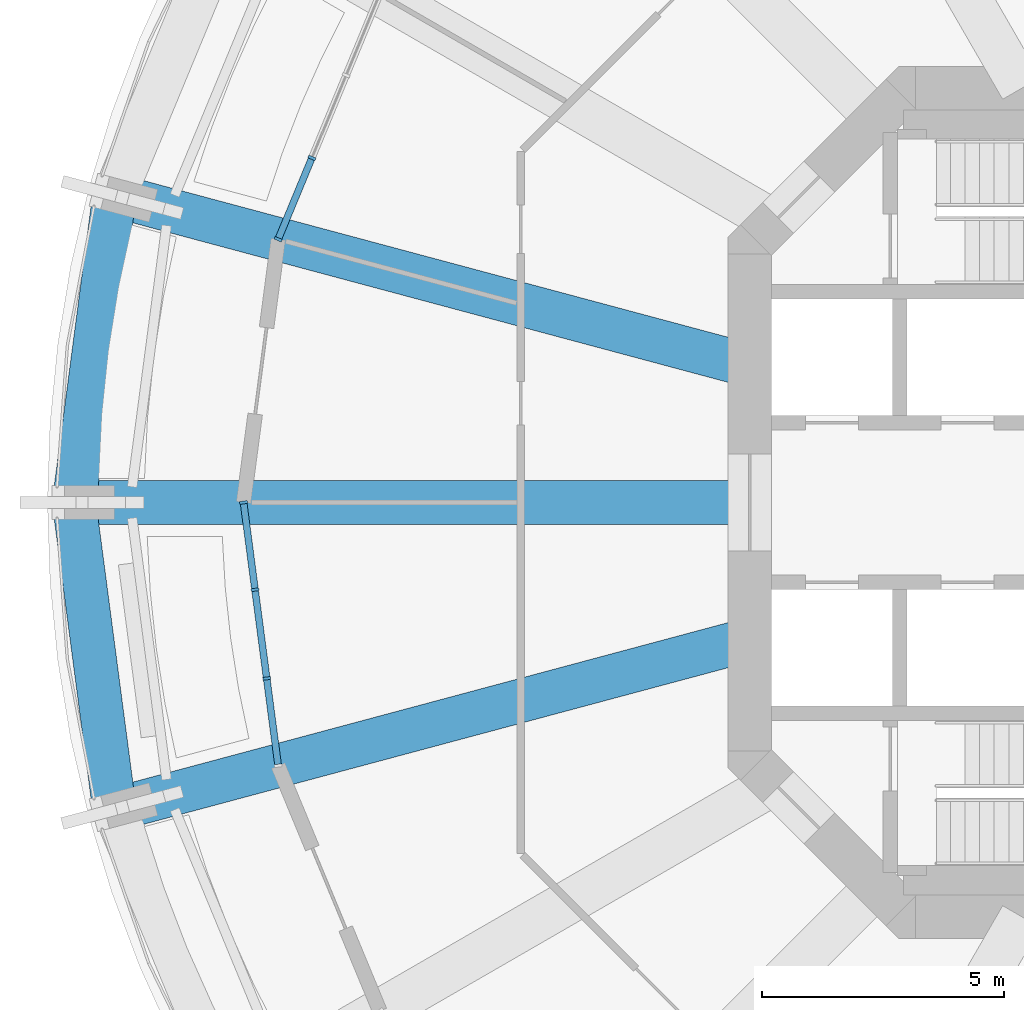
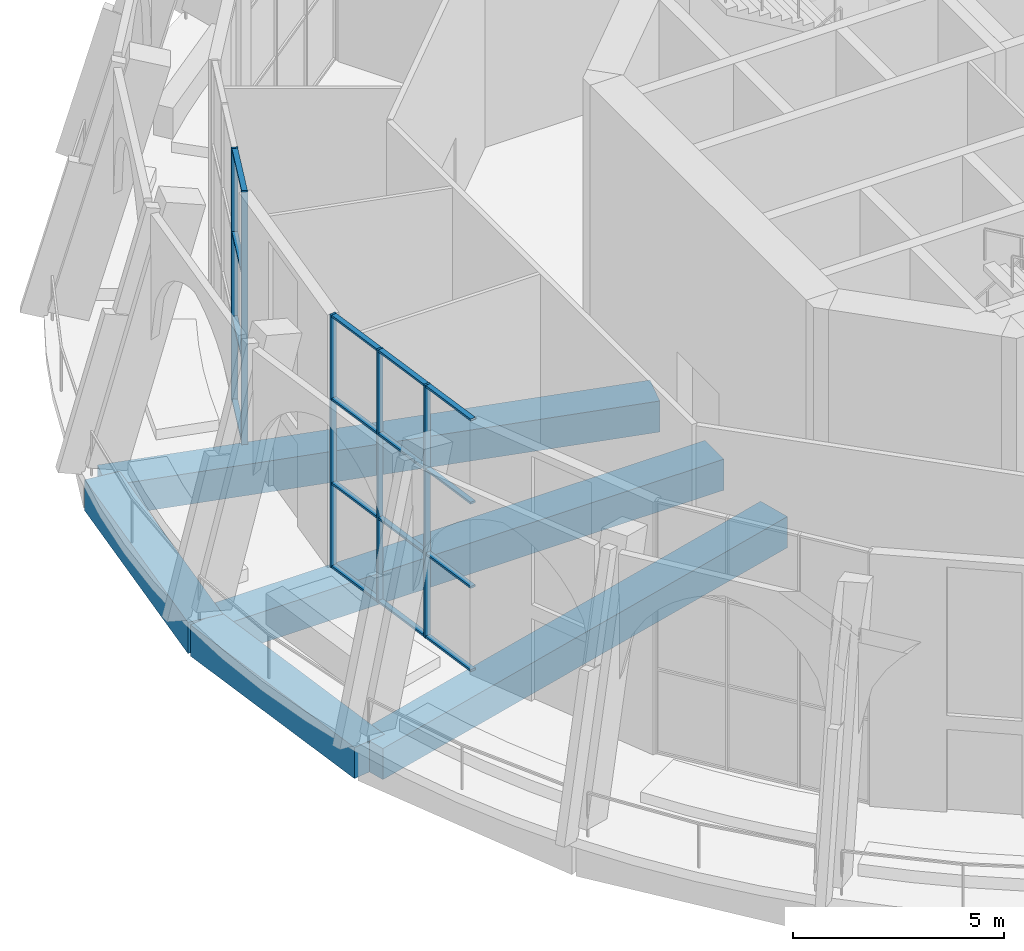
# One storey, part 4 of 18: 21 members, 5 beams, 2 elements without a shape of their own.
"""IFC4 building model written with IfcOpenShell, lengths in metres."""

import ifcopenshell
import ifcopenshell.guid

model = None  # the IFC model being written
_history = None  # IfcOwnerHistory: only IFC2X3 demands one
_inside = {}  # id of a spatial element -> (the spatial element, [elements in it])
_under = {}  # id of a project, library or spatial element -> (it, [spatial elements below it])
_declared = {}  # id of a project -> (the project, [libraries it declares])
_typed = {}  # id of a type object -> (the type object, [elements of that type])
_made_of = {}  # id of a material, layer set ... -> (it, [elements and type objects made of it])


def new_model(schema):
    """Start an empty IFC model of exactly this schema.

    Asked for "IFC4X3", IfcOpenShell would pick the latest addendum, in which some entities
    have other attributes; the version numbers below select the first issue.
    IFC2X3 requires an IfcOwnerHistory on every rooted entity: one is made here for all.
    """
    global model, _history
    if schema == "IFC4X3":
        model = ifcopenshell.file(schema_version=(4, 3, 0, 0))
    else:
        model = ifcopenshell.file(schema=schema)
    _inside.clear()
    _under.clear()
    _declared.clear()
    _typed.clear()
    _made_of.clear()
    _history = None
    if model.schema == "IFC2X3":
        org = make("IfcOrganization", Name="unknown")
        user = make(
            "IfcPersonAndOrganization",
            ThePerson=make("IfcPerson", FamilyName="unknown"),
            TheOrganization=org,
        )
        app = make(
            "IfcApplication",
            ApplicationDeveloper=org,
            Version="unknown",
            ApplicationFullName="unknown",
            ApplicationIdentifier="unknown",
        )
        _history = make(
            "IfcOwnerHistory",
            OwningUser=user,
            OwningApplication=app,
            ChangeAction="ADDED",
            CreationDate=0,
        )
    return model


def make(cls, **values):
    """One entity of the class cls with the attributes given. An attribute that is None is left unset."""
    return model.create_entity(
        cls, **{name: value for name, value in values.items() if value is not None}
    )


def rooted(cls, **values):
    """An entity with a GlobalId (a new one), such as an element, a storey or a relation."""
    return make(cls, GlobalId=ifcopenshell.guid.new(), OwnerHistory=_history, **values)


def si_unit(unit_type, name, prefix=None):
    """IfcSIUnit, for example si_unit("LENGTHUNIT", "METRE", prefix="MILLI")."""
    return make("IfcSIUnit", UnitType=unit_type, Prefix=prefix, Name=name)


def assignment(units):
    """IfcUnitAssignment: the units of a project."""
    return None if units is None else make("IfcUnitAssignment", Units=units)


def point(xyz):
    """IfcCartesianPoint."""
    return None if xyz is None else make("IfcCartesianPoint", Coordinates=xyz)


def direction(xyz):
    """IfcDirection."""
    return None if xyz is None else make("IfcDirection", DirectionRatios=xyz)


def frame(location, z_axis=None, x_axis=None):
    """IfcAxis2Placement3D, a coordinate frame: its origin and axes. An axis left out is left unset."""
    return make(
        "IfcAxis2Placement3D",
        Location=point(location),
        Axis=direction(z_axis),
        RefDirection=direction(x_axis),
    )


def frame_2d(location, x_axis=None):
    """IfcAxis2Placement2D, a coordinate frame in the plane: its origin and x axis."""
    return make(
        "IfcAxis2Placement2D", Location=point(location), RefDirection=direction(x_axis)
    )


def origin():
    """The frame at (0, 0, 0) with its axes left unset."""
    return frame((0.0, 0.0, 0.0))


def origin_2d():
    """The frame at (0, 0) in the plane with its x axis left unset."""
    return frame_2d((0.0, 0.0))


def place(relative_to, where):
    """IfcLocalPlacement: puts the frame where relative to a parent placement (None: the world)."""
    return make(
        "IfcLocalPlacement", PlacementRelTo=relative_to, RelativePlacement=where
    )


def context(
    kind, dimensions, precision=None, world=None, true_north=None, identifier=None
):
    """IfcGeometricRepresentationContext, for example the 3D "Model" context."""
    return make(
        "IfcGeometricRepresentationContext",
        ContextIdentifier=identifier,
        ContextType=kind,
        CoordinateSpaceDimension=dimensions,
        Precision=precision,
        WorldCoordinateSystem=world,
        TrueNorth=true_north,
    )


def subcontext(parent, identifier, kind, view, scale=None):
    """IfcGeometricRepresentationSubContext, for example "Body" below "Model"."""
    return make(
        "IfcGeometricRepresentationSubContext",
        ContextIdentifier=identifier,
        ContextType=kind,
        ParentContext=parent,
        TargetScale=scale,
        TargetView=view,
    )


def project(units=None, contexts=None):
    """IfcProject with its units and contexts."""
    return rooted(
        "IfcProject",
        Name="project",
        RepresentationContexts=contexts,
        UnitsInContext=assignment(units),
    )


def spatial(cls, under=None, at=None, **own):
    """A site, building, storey or space (cls), placed at a placement, below another one or the project."""
    s = rooted(cls, ObjectPlacement=at, **own)
    if under is not None:
        _under.setdefault(under.id(), (under, []))[1].append(s)
    return s


def profile(cls, at=None, kind="AREA", **sizes):
    """A parametric profile (cls). Its sizes go by their IFC names, for example OverallWidth=200.0."""
    return make(cls, ProfileType=kind, Position=at, **sizes)


def rectangle(**sizes):
    """IfcRectangleProfileDef."""
    return profile("IfcRectangleProfileDef", **sizes)


def extrude(swept, where, along, depth):
    """IfcExtrudedAreaSolid: the profile swept, set in the frame where, extruded along a direction by depth."""
    return make(
        "IfcExtrudedAreaSolid",
        SweptArea=swept,
        Position=where,
        ExtrudedDirection=direction(along),
        Depth=depth,
    )


def shape(context_of_items, identifier, shape_type, items):
    """IfcShapeRepresentation: the items that make up one representation, for example the "Body"."""
    return make(
        "IfcShapeRepresentation",
        ContextOfItems=context_of_items,
        RepresentationIdentifier=identifier,
        RepresentationType=shape_type,
        Items=items,
    )


def material(Name=None, Category=None):
    """IfcMaterial."""
    return make("IfcMaterial", Name=Name, Category=Category)


def material_profile(
    of_material, cross_section, Name=None, Category=None, Priority=None
):
    """IfcMaterialProfile: a cross section and its material."""
    return make(
        "IfcMaterialProfile",
        Name=Name,
        Material=of_material,
        Profile=cross_section,
        Priority=Priority,
        Category=Category,
    )


def profile_set(profiles, Name=None, composite=None):
    """IfcMaterialProfileSet."""
    return make(
        "IfcMaterialProfileSet",
        Name=Name,
        MaterialProfiles=profiles,
        CompositeProfile=composite,
    )


def made_of(thing, what):
    """Note that an element or type object is made of a material, layer set ...; save() writes the relation."""
    if what is not None:
        _made_of.setdefault(what.id(), (what, []))[1].append(thing)
    return thing


def type_object(cls, material=None, **own):
    """A type object (cls), such as IfcWallType, which elements share."""
    return made_of(rooted(cls, **own), material)


def element(
    cls,
    number,
    at=None,
    inside=None,
    cuts=None,
    type_object=None,
    material=None,
    context=None,
    identifier="Body",
    shape_type=None,
    held_by="IfcProductDefinitionShape",
    body=None,
    shapes=None,
    **own,
):
    """One element of the class cls, such as IfcWall. Its Tag is "e" and its number.

    at: its placement. inside: the storey or other place that contains it. cuts: it is an
    opening in that element (IfcRelVoidsElement). A single representation is given by context,
    identifier, shape_type and body (its items); several are given by shapes. held_by: the class
    of the entity that holds the representations. save() writes the other relations.
    """
    e = rooted(cls, Tag="e%d" % number, ObjectPlacement=at, **own)
    if body is not None:
        shapes = [shape(context, identifier, shape_type, body)]
    if shapes is not None:
        e.Representation = make(held_by, Representations=shapes)
    if inside is not None:
        _inside.setdefault(inside.id(), (inside, []))[1].append(e)
    if cuts is not None:
        rooted(
            "IfcRelVoidsElement", RelatingBuildingElement=cuts, RelatedOpeningElement=e
        )
    if type_object is not None:
        _typed.setdefault(type_object.id(), (type_object, []))[1].append(e)
    return made_of(e, material)


def aggregate(whole, parts):
    """IfcRelAggregates: a whole, such as a stair, and the parts it consists of."""
    return rooted("IfcRelAggregates", RelatingObject=whole, RelatedObjects=parts)


def save(model, path):
    """Write the relations noted so far, then the file.

    IfcRelAggregates (storeys below a building ...), IfcRelContainedInSpatialStructure (elements
    in a storey), IfcRelDefinesByType, IfcRelAssociatesMaterial and IfcRelDeclares: one each for
    every whole, place, type object, material and project.
    """
    for whole, parts in _under.values():
        aggregate(whole, parts)
    for where, things in _inside.values():
        rooted(
            "IfcRelContainedInSpatialStructure",
            RelatedElements=things,
            RelatingStructure=where,
        )
    for kind, things in _typed.values():
        rooted("IfcRelDefinesByType", RelatedObjects=things, RelatingType=kind)
    for what, things in _made_of.values():
        rooted("IfcRelAssociatesMaterial", RelatedObjects=things, RelatingMaterial=what)
    for by, libraries in _declared.values():
        rooted("IfcRelDeclares", RelatingContext=by, RelatedDefinitions=libraries)
    model.write(path)


model = new_model("IFC4")

# Units and contexts
model_context = context("Model", 3, precision=1e-05, world=origin(), true_north=direction((0.0, 1.0)))
body_context = subcontext(model_context, "Body", "Model", "MODEL_VIEW")
ifc_project = project(units=[si_unit("LENGTHUNIT", "METRE"), si_unit("AREAUNIT", "SQUARE_METRE"), si_unit("VOLUMEUNIT", "CUBIC_METRE"), si_unit("PLANEANGLEUNIT", "RADIAN"), si_unit("MASSUNIT", "GRAM", prefix="KILO")], contexts=[model_context])

# Site, building, storey
site_placement = place(None, origin())
site = spatial("IfcSite", under=ifc_project, at=site_placement, CompositionType="ELEMENT")
building_placement = place(site_placement, origin())
building = spatial("IfcBuilding", under=site, at=building_placement, Name="Torre Triforio", CompositionType="ELEMENT")
storey_placement = place(building_placement, frame((0.0, 0.0, 146.60009765625)))
storey = spatial("IfcBuildingStorey", under=building, at=storey_placement, Name="L33", CompositionType="ELEMENT", Elevation=146.60009765625)

# Curtain wall, members
ifc_material_1 = material(Name="Aluminium mullion and transom frame with clear laminated glass", Category="aluminium")
curtain_wall_type = type_object("IfcCurtainWallType", Name="Sky garden conservatory wall ECW3", PredefinedType="NOTDEFINED", material=ifc_material_1)
curtain_wall_1_placement = place(storey_placement, origin())
curtain_wall_1 = element("IfcCurtainWall", 1, at=curtain_wall_1_placement, inside=storey, type_object=curtain_wall_type, Name="Conservatory wall L33 bay 11", PredefinedType="NOTDEFINED")
ifc_material_2 = material(Name="Anodised aluminium extrusion", Category="aluminium")
ifc_material_profile_1 = material_profile(ifc_material_2, rectangle(XDim=0.159912109375, YDim=0.06005859375, at=origin_2d()), Name="ECW3 MULLION 60x160")
ifc_profile_set_1 = profile_set([ifc_material_profile_1], Name="Anodised aluminium extrusion")
member_type_1 = type_object("IfcMemberType", Name="ECW3 mullion 60 x 160", PredefinedType="MULLION", material=ifc_profile_set_1)
member_1_placement = place(storey_placement, frame((-19.5888671875, 7.1142578125, 0.0), z_axis=(0.0, 0.0, 1.0), x_axis=(0.923883122974, -0.382674764107, 0.0)))
member_1 = element("IfcMember", 2, at=member_1_placement, type_object=member_type_1, Name="ECW3 mullion 3", PredefinedType="MULLION", context=body_context, shape_type="SweptSolid", body=[
    extrude(rectangle(XDim=0.159912109375, YDim=0.06005859375, at=origin_2d()), origin(), (0.0, 0.0, 1.0), 7.31982421875),
])
member_2_placement = place(storey_placement, frame((-20.284423828125, 5.435302734375, 0.0), z_axis=(0.0, 0.0, 1.0), x_axis=(0.923883122974, -0.382674764107, 0.0)))
member_2 = element("IfcMember", 3, at=member_2_placement, type_object=member_type_1, Name="ECW3 mullion 4", PredefinedType="MULLION", context=body_context, shape_type="SweptSolid", body=[
    extrude(rectangle(XDim=0.159912109375, YDim=0.06005859375, at=origin_2d()), origin(), (0.0, 0.0, 1.0), 7.31982421875),
])

curtain_wall_2_placement = place(storey_placement, origin())
curtain_wall_2 = element("IfcCurtainWall", 4, at=curtain_wall_2_placement, inside=storey, type_object=curtain_wall_type, Name="Conservatory wall L33 bay 13", PredefinedType="NOTDEFINED")
member_3_placement = place(storey_placement, frame((-21.0, 0.0, 0.0), z_axis=(0.0, 0.0, 1.0), x_axis=(0.991444343291, 0.130530127386, 0.0)))
member_3 = element("IfcMember", 5, at=member_3_placement, type_object=member_type_1, Name="ECW3 mullion 1", PredefinedType="MULLION", context=body_context, shape_type="SweptSolid", body=[
    extrude(rectangle(XDim=0.159912109375, YDim=0.06005859375, at=origin_2d()), origin(), (0.0, 0.0, 1.0), 7.31982421875),
])
member_4_placement = place(storey_placement, frame((-20.7626953125, -1.8017578125, 0.0), z_axis=(0.0, 0.0, 1.0), x_axis=(0.991444343291, 0.130530127386, 0.0)))
member_4 = element("IfcMember", 6, at=member_4_placement, type_object=member_type_1, Name="ECW3 mullion 2", PredefinedType="MULLION", context=body_context, shape_type="SweptSolid", body=[
    extrude(rectangle(XDim=0.159912109375, YDim=0.06005859375, at=origin_2d()), origin(), (0.0, 0.0, 1.0), 7.31982421875),
])
member_5_placement = place(storey_placement, frame((-20.521728515625, -3.63330078125, 0.0), z_axis=(0.0, 0.0, 1.0), x_axis=(0.991444343291, 0.130530127386, 0.0)))
member_5 = element("IfcMember", 7, at=member_5_placement, type_object=member_type_1, Name="ECW3 mullion 3", PredefinedType="MULLION", context=body_context, shape_type="SweptSolid", body=[
    extrude(rectangle(XDim=0.159912109375, YDim=0.06005859375, at=origin_2d()), origin(), (0.0, 0.0, 1.0), 7.31982421875),
])

# Member
ifc_material_profile_2 = material_profile(ifc_material_2, rectangle(XDim=0.139892578125, YDim=0.06005859375, at=origin_2d()), Name="ECW3 TRANSOM 60x140")
ifc_profile_set_2 = profile_set([ifc_material_profile_2], Name="Anodised aluminium extrusion")
member_type_2 = type_object("IfcMemberType", Name="ECW3 transom 60 x 140", PredefinedType="USERDEFINED", material=ifc_profile_set_2)
member_6_placement = place(storey_placement, frame((-19.600341796875, 7.08642578125, 0.02978515625), z_axis=(-0.38274032778, -0.923855963606, 0.0), x_axis=(0.923855963606, -0.38274032778, 0.0)))
member_6 = element("IfcMember", 8, at=member_6_placement, type_object=member_type_2, Name="ECW3 transom 3.1", ObjectType="TRANSOM", PredefinedType="USERDEFINED", context=body_context, shape_type="SweptSolid", body=[
    extrude(rectangle(XDim=0.139892578125, YDim=0.06005859375, at=origin_2d()), origin(), (0.0, 0.0, 1.0), 1.75732421875),
])

member_7_placement = place(storey_placement, frame((-19.600341796875, 7.08642578125, 2.43994140625), z_axis=(-0.38274032778, -0.923855963606, 0.0), x_axis=(0.923855963606, -0.38274032778, 0.0)))
member_7 = element("IfcMember", 9, at=member_7_placement, type_object=member_type_2, Name="ECW3 transom 3.2", ObjectType="TRANSOM", PredefinedType="USERDEFINED", context=body_context, shape_type="SweptSolid", body=[
    extrude(rectangle(XDim=0.139892578125, YDim=0.06005859375, at=origin_2d()), origin(), (0.0, 0.0, 1.0), 1.75732421875),
])

member_8_placement = place(storey_placement, frame((-19.600341796875, 7.08642578125, 4.8798828125), z_axis=(-0.38274032778, -0.923855963606, 0.0), x_axis=(0.923855963606, -0.38274032778, 0.0)))
member_8 = element("IfcMember", 10, at=member_8_placement, type_object=member_type_2, Name="ECW3 transom 3.3", ObjectType="TRANSOM", PredefinedType="USERDEFINED", context=body_context, shape_type="SweptSolid", body=[
    extrude(rectangle(XDim=0.139892578125, YDim=0.06005859375, at=origin_2d()), origin(), (0.0, 0.0, 1.0), 1.75732421875),
])

member_9_placement = place(storey_placement, frame((-19.600341796875, 7.08642578125, 7.289794921875), z_axis=(-0.38274032778, -0.923855963606, 0.0), x_axis=(0.923855963606, -0.38274032778, 0.0)))
member_9 = element("IfcMember", 11, at=member_9_placement, type_object=member_type_2, Name="ECW3 transom 3.4", ObjectType="TRANSOM", PredefinedType="USERDEFINED", context=body_context, shape_type="SweptSolid", body=[
    extrude(rectangle(XDim=0.139892578125, YDim=0.06005859375, at=origin_2d()), origin(), (0.0, 0.0, 1.0), 1.75732421875),
])

aggregate(curtain_wall_1, [member_1, member_2, member_6, member_7, member_8, member_9])

member_10_placement = place(storey_placement, frame((-20.99609375, -0.02978515625, 0.02978515625), z_axis=(0.130598268981, -0.991435369623, 0.0), x_axis=(0.991435369623, 0.130598268981, 0.0)))
member_10 = element("IfcMember", 12, at=member_10_placement, type_object=member_type_2, Name="ECW3 transom 1.1", ObjectType="TRANSOM", PredefinedType="USERDEFINED", context=body_context, shape_type="SweptSolid", body=[
    extrude(rectangle(XDim=0.139892578125, YDim=0.06005859375, at=origin_2d()), origin(), (0.0, 0.0, 1.0), 1.75732421875),
])

member_11_placement = place(storey_placement, frame((-20.99609375, -0.02978515625, 2.43994140625), z_axis=(0.130598268981, -0.991435369623, 0.0), x_axis=(0.991435369623, 0.130598268981, 0.0)))
member_11 = element("IfcMember", 13, at=member_11_placement, type_object=member_type_2, Name="ECW3 transom 1.2", ObjectType="TRANSOM", PredefinedType="USERDEFINED", context=body_context, shape_type="SweptSolid", body=[
    extrude(rectangle(XDim=0.139892578125, YDim=0.06005859375, at=origin_2d()), origin(), (0.0, 0.0, 1.0), 1.75732421875),
])

member_12_placement = place(storey_placement, frame((-20.99609375, -0.02978515625, 4.8798828125), z_axis=(0.130598268981, -0.991435369623, 0.0), x_axis=(0.991435369623, 0.130598268981, 0.0)))
member_12 = element("IfcMember", 14, at=member_12_placement, type_object=member_type_2, Name="ECW3 transom 1.3", ObjectType="TRANSOM", PredefinedType="USERDEFINED", context=body_context, shape_type="SweptSolid", body=[
    extrude(rectangle(XDim=0.139892578125, YDim=0.06005859375, at=origin_2d()), origin(), (0.0, 0.0, 1.0), 1.75732421875),
])

member_13_placement = place(storey_placement, frame((-20.99609375, -0.02978515625, 7.289794921875), z_axis=(0.130598268981, -0.991435369623, 0.0), x_axis=(0.991435369623, 0.130598268981, 0.0)))
member_13 = element("IfcMember", 15, at=member_13_placement, type_object=member_type_2, Name="ECW3 transom 1.4", ObjectType="TRANSOM", PredefinedType="USERDEFINED", context=body_context, shape_type="SweptSolid", body=[
    extrude(rectangle(XDim=0.139892578125, YDim=0.06005859375, at=origin_2d()), origin(), (0.0, 0.0, 1.0), 1.75732421875),
])

member_14_placement = place(storey_placement, frame((-20.7587890625, -1.83154296875, 0.02978515625), z_axis=(0.130454512571, -0.991454295543, 0.0), x_axis=(0.991454295543, 0.130454512571, 0.0)))
member_14 = element("IfcMember", 16, at=member_14_placement, type_object=member_type_2, Name="ECW3 transom 2.1", ObjectType="TRANSOM", PredefinedType="USERDEFINED", context=body_context, shape_type="SweptSolid", body=[
    extrude(rectangle(XDim=0.139892578125, YDim=0.06005859375, at=origin_2d()), origin(), (0.0, 0.0, 1.0), 1.787353515625),
])

member_15_placement = place(storey_placement, frame((-20.7587890625, -1.83154296875, 2.43994140625), z_axis=(0.130454512571, -0.991454295543, 0.0), x_axis=(0.991454295543, 0.130454512571, 0.0)))
member_15 = element("IfcMember", 17, at=member_15_placement, type_object=member_type_2, Name="ECW3 transom 2.2", ObjectType="TRANSOM", PredefinedType="USERDEFINED", context=body_context, shape_type="SweptSolid", body=[
    extrude(rectangle(XDim=0.139892578125, YDim=0.06005859375, at=origin_2d()), origin(), (0.0, 0.0, 1.0), 1.787353515625),
])

member_16_placement = place(storey_placement, frame((-20.7587890625, -1.83154296875, 4.8798828125), z_axis=(0.130454512571, -0.991454295543, 0.0), x_axis=(0.991454295543, 0.130454512571, 0.0)))
member_16 = element("IfcMember", 18, at=member_16_placement, type_object=member_type_2, Name="ECW3 transom 2.3", ObjectType="TRANSOM", PredefinedType="USERDEFINED", context=body_context, shape_type="SweptSolid", body=[
    extrude(rectangle(XDim=0.139892578125, YDim=0.06005859375, at=origin_2d()), origin(), (0.0, 0.0, 1.0), 1.787353515625),
])

member_17_placement = place(storey_placement, frame((-20.7587890625, -1.83154296875, 7.289794921875), z_axis=(0.130454512571, -0.991454295543, 0.0), x_axis=(0.991454295543, 0.130454512571, 0.0)))
member_17 = element("IfcMember", 19, at=member_17_placement, type_object=member_type_2, Name="ECW3 transom 2.4", ObjectType="TRANSOM", PredefinedType="USERDEFINED", context=body_context, shape_type="SweptSolid", body=[
    extrude(rectangle(XDim=0.139892578125, YDim=0.06005859375, at=origin_2d()), origin(), (0.0, 0.0, 1.0), 1.787353515625),
])

member_18_placement = place(storey_placement, frame((-20.517822265625, -3.6630859375, 0.02978515625), z_axis=(0.130580282255, -0.991437738784, 0.0), x_axis=(0.991437738784, 0.130580282255, 0.0)))
member_18 = element("IfcMember", 20, at=member_18_placement, type_object=member_type_2, Name="ECW3 transom 3.1", ObjectType="TRANSOM", PredefinedType="USERDEFINED", context=body_context, shape_type="SweptSolid", body=[
    extrude(rectangle(XDim=0.139892578125, YDim=0.06005859375, at=origin_2d()), origin(), (0.0, 0.0, 1.0), 1.757568359375),
])

member_19_placement = place(storey_placement, frame((-20.517822265625, -3.6630859375, 2.43994140625), z_axis=(0.130580282255, -0.991437738784, 0.0), x_axis=(0.991437738784, 0.130580282255, 0.0)))
member_19 = element("IfcMember", 21, at=member_19_placement, type_object=member_type_2, Name="ECW3 transom 3.2", ObjectType="TRANSOM", PredefinedType="USERDEFINED", context=body_context, shape_type="SweptSolid", body=[
    extrude(rectangle(XDim=0.139892578125, YDim=0.06005859375, at=origin_2d()), origin(), (0.0, 0.0, 1.0), 1.757568359375),
])

member_20_placement = place(storey_placement, frame((-20.517822265625, -3.6630859375, 4.8798828125), z_axis=(0.130580282255, -0.991437738784, 0.0), x_axis=(0.991437738784, 0.130580282255, 0.0)))
member_20 = element("IfcMember", 22, at=member_20_placement, type_object=member_type_2, Name="ECW3 transom 3.3", ObjectType="TRANSOM", PredefinedType="USERDEFINED", context=body_context, shape_type="SweptSolid", body=[
    extrude(rectangle(XDim=0.139892578125, YDim=0.06005859375, at=origin_2d()), origin(), (0.0, 0.0, 1.0), 1.757568359375),
])

member_21_placement = place(storey_placement, frame((-20.517822265625, -3.6630859375, 7.289794921875), z_axis=(0.130580282255, -0.991437738784, 0.0), x_axis=(0.991437738784, 0.130580282255, 0.0)))
member_21 = element("IfcMember", 23, at=member_21_placement, type_object=member_type_2, Name="ECW3 transom 3.4", ObjectType="TRANSOM", PredefinedType="USERDEFINED", context=body_context, shape_type="SweptSolid", body=[
    extrude(rectangle(XDim=0.139892578125, YDim=0.06005859375, at=origin_2d()), origin(), (0.0, 0.0, 1.0), 1.757568359375),
])

aggregate(curtain_wall_2, [member_3, member_4, member_5, member_10, member_11, member_12, member_13, member_14, member_15, member_16, member_17, member_18, member_19, member_20, member_21])

# Beams
ifc_material_3 = material(Name="Concrete C50", Category="concrete")
ifc_material_profile_3 = material_profile(ifc_material_3, rectangle(XDim=0.89990234375, YDim=0.89990234375, at=origin_2d()), Name="RC 900x900")
ifc_profile_set_3 = profile_set([ifc_material_profile_3], Name="Concrete C50")
beam_type_1 = type_object("IfcBeamType", Name="Radial beam RC 900x900 C50", PredefinedType="BEAM", material=ifc_profile_set_3)
beam_1_placement = place(storey_placement, frame((-10.550048828125, 2.826904296875, -0.72998046875), z_axis=(-0.965926862951, 0.258815176197, 0.0), x_axis=(-0.258815176197, -0.965926862951, 0.0)))
element("IfcBeam", 24, at=beam_1_placement, inside=storey, type_object=beam_type_1, Name="BM.R.L33.11", PredefinedType="BEAM", context=body_context, shape_type="SweptSolid", body=[
    extrude(rectangle(XDim=0.89990234375, YDim=0.89990234375, at=origin_2d()), origin(), (0.0, 0.0, 1.0), 13.577880859375),
])
beam_2_placement = place(storey_placement, frame((-10.550048828125, 0.0, -0.72998046875), z_axis=(-1.0, 0.0, 0.0), x_axis=(0.0, -1.0, 0.0)))
element("IfcBeam", 25, at=beam_2_placement, inside=storey, type_object=beam_type_1, Name="BM.R.L33.12", PredefinedType="BEAM", context=body_context, shape_type="SweptSolid", body=[
    extrude(rectangle(XDim=0.89990234375, YDim=0.89990234375, at=origin_2d()), origin(), (0.0, 0.0, 1.0), 13.949951171875),
])
beam_3_placement = place(storey_placement, frame((-10.550048828125, -2.826904296875, -0.72998046875), z_axis=(-0.965926862951, -0.258815176197, 0.0), x_axis=(0.258815176197, -0.965926862951, 0.0)))
element("IfcBeam", 26, at=beam_3_placement, inside=storey, type_object=beam_type_1, Name="BM.R.L33.13", PredefinedType="BEAM", context=body_context, shape_type="SweptSolid", body=[
    extrude(rectangle(XDim=0.89990234375, YDim=0.89990234375, at=origin_2d()), origin(), (0.0, 0.0, 1.0), 13.577880859375),
])
ifc_material_profile_4 = material_profile(ifc_material_3, rectangle(XDim=0.89990234375, YDim=0.89990234375, at=origin_2d()), Name="RC 900x900")
ifc_profile_set_4 = profile_set([ifc_material_profile_4], Name="Concrete C50")
beam_type_2 = type_object("IfcBeamType", Name="Spandrel beam RC 900x900 C50", PredefinedType="SPANDREL", material=ifc_profile_set_4)
for number, where, z_axis, x_axis, name in (
    (27, (-23.665283203125, 6.341064453125, -0.72998046875), (-0.130510796237, -0.991446888172, 0.0), (0.991446888172, -0.130510796237, 0.0), "BM.S.L33.11"),
    (28, (-24.5, 0.0, -0.72998046875), (0.130510796237, -0.991446888172, 0.0), (0.991446888172, 0.130510796237, 0.0), "BM.S.L33.12"),
):
    element("IfcBeam", number, at=place(storey_placement, frame(where, z_axis=z_axis, x_axis=x_axis)), inside=storey, type_object=beam_type_2, Name=name, PredefinedType="SPANDREL", context=body_context, shape_type="SweptSolid", body=[
        extrude(rectangle(XDim=0.89990234375, YDim=0.89990234375, at=origin_2d()), origin(), (0.0, 0.0, 1.0), 6.395751953125),
    ])

save(model, "model.ifc")
